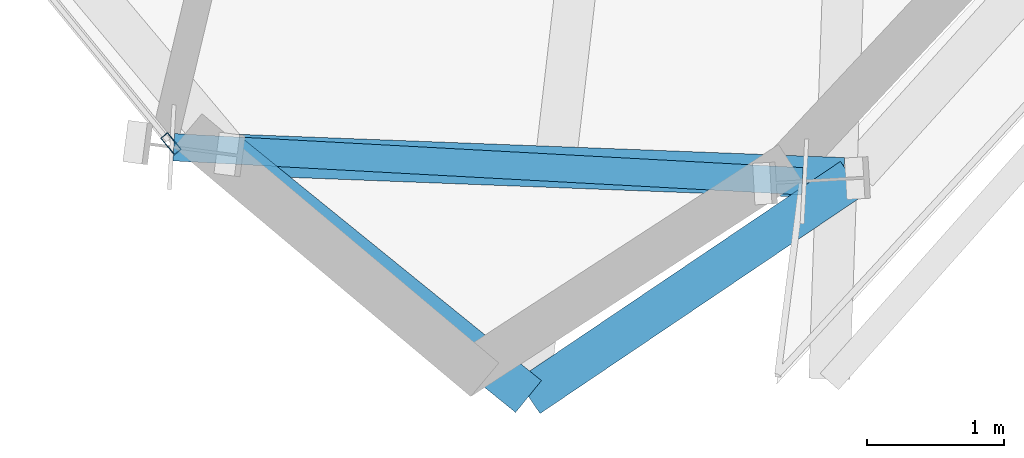
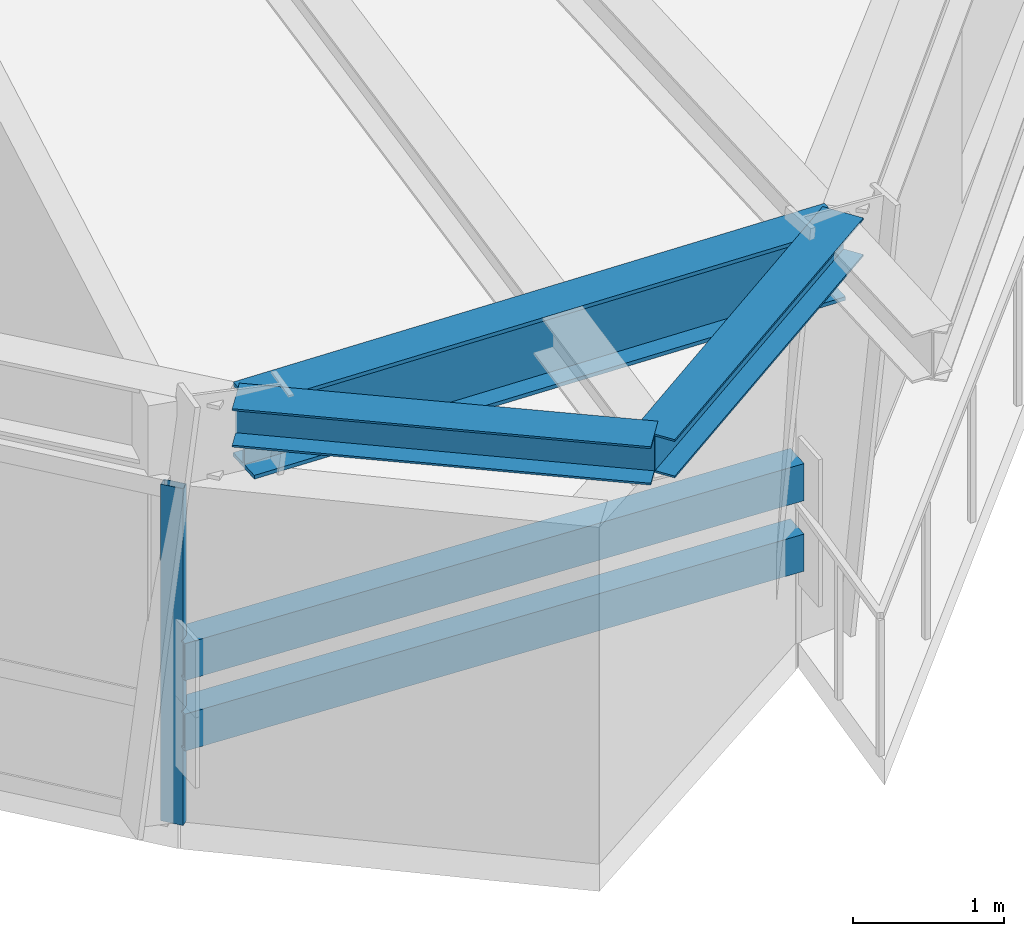
# One storey, part 4 of 15: 3 beams, 3 members, 1 element without a shape of its own.
"""IFC4 building model written with IfcOpenShell, lengths in metres."""

import ifcopenshell
import ifcopenshell.guid

model = None  # the IFC model being written
_history = None  # IfcOwnerHistory: only IFC2X3 demands one
_inside = {}  # id of a spatial element -> (the spatial element, [elements in it])
_under = {}  # id of a project, library or spatial element -> (it, [spatial elements below it])
_declared = {}  # id of a project -> (the project, [libraries it declares])
_typed = {}  # id of a type object -> (the type object, [elements of that type])
_made_of = {}  # id of a material, layer set ... -> (it, [elements and type objects made of it])


def new_model(schema):
    """Start an empty IFC model of exactly this schema.

    Asked for "IFC4X3", IfcOpenShell would pick the latest addendum, in which some entities
    have other attributes; the version numbers below select the first issue.
    IFC2X3 requires an IfcOwnerHistory on every rooted entity: one is made here for all.
    """
    global model, _history
    if schema == "IFC4X3":
        model = ifcopenshell.file(schema_version=(4, 3, 0, 0))
    else:
        model = ifcopenshell.file(schema=schema)
    _inside.clear()
    _under.clear()
    _declared.clear()
    _typed.clear()
    _made_of.clear()
    _history = None
    if model.schema == "IFC2X3":
        org = make("IfcOrganization", Name="unknown")
        user = make(
            "IfcPersonAndOrganization",
            ThePerson=make("IfcPerson", FamilyName="unknown"),
            TheOrganization=org,
        )
        app = make(
            "IfcApplication",
            ApplicationDeveloper=org,
            Version="unknown",
            ApplicationFullName="unknown",
            ApplicationIdentifier="unknown",
        )
        _history = make(
            "IfcOwnerHistory",
            OwningUser=user,
            OwningApplication=app,
            ChangeAction="ADDED",
            CreationDate=0,
        )
    return model


def make(cls, **values):
    """One entity of the class cls with the attributes given. An attribute that is None is left unset."""
    return model.create_entity(
        cls, **{name: value for name, value in values.items() if value is not None}
    )


def rooted(cls, **values):
    """An entity with a GlobalId (a new one), such as an element, a storey or a relation."""
    return make(cls, GlobalId=ifcopenshell.guid.new(), OwnerHistory=_history, **values)


def si_unit(unit_type, name, prefix=None):
    """IfcSIUnit, for example si_unit("LENGTHUNIT", "METRE", prefix="MILLI")."""
    return make("IfcSIUnit", UnitType=unit_type, Prefix=prefix, Name=name)


def assignment(units):
    """IfcUnitAssignment: the units of a project."""
    return None if units is None else make("IfcUnitAssignment", Units=units)


def point(xyz):
    """IfcCartesianPoint."""
    return None if xyz is None else make("IfcCartesianPoint", Coordinates=xyz)


def direction(xyz):
    """IfcDirection."""
    return None if xyz is None else make("IfcDirection", DirectionRatios=xyz)


def frame(location, z_axis=None, x_axis=None):
    """IfcAxis2Placement3D, a coordinate frame: its origin and axes. An axis left out is left unset."""
    return make(
        "IfcAxis2Placement3D",
        Location=point(location),
        Axis=direction(z_axis),
        RefDirection=direction(x_axis),
    )


def frame_2d(location, x_axis=None):
    """IfcAxis2Placement2D, a coordinate frame in the plane: its origin and x axis."""
    return make(
        "IfcAxis2Placement2D", Location=point(location), RefDirection=direction(x_axis)
    )


def origin():
    """The frame at (0, 0, 0) with its axes left unset."""
    return frame((0.0, 0.0, 0.0))


def origin_2d():
    """The frame at (0, 0) in the plane with its x axis left unset."""
    return frame_2d((0.0, 0.0))


def place(relative_to, where):
    """IfcLocalPlacement: puts the frame where relative to a parent placement (None: the world)."""
    return make(
        "IfcLocalPlacement", PlacementRelTo=relative_to, RelativePlacement=where
    )


def context(
    kind, dimensions, precision=None, world=None, true_north=None, identifier=None
):
    """IfcGeometricRepresentationContext, for example the 3D "Model" context."""
    return make(
        "IfcGeometricRepresentationContext",
        ContextIdentifier=identifier,
        ContextType=kind,
        CoordinateSpaceDimension=dimensions,
        Precision=precision,
        WorldCoordinateSystem=world,
        TrueNorth=true_north,
    )


def subcontext(parent, identifier, kind, view, scale=None):
    """IfcGeometricRepresentationSubContext, for example "Body" below "Model"."""
    return make(
        "IfcGeometricRepresentationSubContext",
        ContextIdentifier=identifier,
        ContextType=kind,
        ParentContext=parent,
        TargetScale=scale,
        TargetView=view,
    )


def project(units=None, contexts=None):
    """IfcProject with its units and contexts."""
    return rooted(
        "IfcProject",
        Name="project",
        RepresentationContexts=contexts,
        UnitsInContext=assignment(units),
    )


def spatial(cls, under=None, at=None, **own):
    """A site, building, storey or space (cls), placed at a placement, below another one or the project."""
    s = rooted(cls, ObjectPlacement=at, **own)
    if under is not None:
        _under.setdefault(under.id(), (under, []))[1].append(s)
    return s


def profile(cls, at=None, kind="AREA", **sizes):
    """A parametric profile (cls). Its sizes go by their IFC names, for example OverallWidth=200.0."""
    return make(cls, ProfileType=kind, Position=at, **sizes)


def hollow_rectangle(**sizes):
    """IfcRectangleHollowProfileDef."""
    return profile("IfcRectangleHollowProfileDef", **sizes)


def i_section(**sizes):
    """IfcIShapeProfileDef."""
    return profile("IfcIShapeProfileDef", **sizes)


def extrude(swept, where, along, depth):
    """IfcExtrudedAreaSolid: the profile swept, set in the frame where, extruded along a direction by depth."""
    return make(
        "IfcExtrudedAreaSolid",
        SweptArea=swept,
        Position=where,
        ExtrudedDirection=direction(along),
        Depth=depth,
    )


def shape(context_of_items, identifier, shape_type, items):
    """IfcShapeRepresentation: the items that make up one representation, for example the "Body"."""
    return make(
        "IfcShapeRepresentation",
        ContextOfItems=context_of_items,
        RepresentationIdentifier=identifier,
        RepresentationType=shape_type,
        Items=items,
    )


def source(mapping_origin, context_of_items, identifier, shape_type, items):
    """IfcRepresentationMap: a shape defined once, which mapped items show again and again."""
    return make(
        "IfcRepresentationMap",
        MappingOrigin=mapping_origin,
        MappedRepresentation=shape(context_of_items, identifier, shape_type, items),
    )


def transform(
    local_origin,
    x_axis=None,
    y_axis=None,
    z_axis=None,
    scale=None,
    scale2=None,
    scale3=None,
    uniform=True,
):
    """IfcCartesianTransformationOperator3D, or its non-uniform kind. x_axis, y_axis, z_axis: its Axis1, 2, 3."""
    if uniform:
        return make(
            "IfcCartesianTransformationOperator3D",
            Axis1=direction(x_axis),
            Axis2=direction(y_axis),
            LocalOrigin=point(local_origin),
            Scale=scale,
            Axis3=direction(z_axis),
        )
    return make(
        "IfcCartesianTransformationOperator3DnonUniform",
        Axis1=direction(x_axis),
        Axis2=direction(y_axis),
        LocalOrigin=point(local_origin),
        Scale=scale,
        Axis3=direction(z_axis),
        Scale2=scale2,
        Scale3=scale3,
    )


def mapped(mapping_source, mapping_target):
    """IfcMappedItem: shows the shape of a source again, moved by a transform."""
    return make(
        "IfcMappedItem", MappingSource=mapping_source, MappingTarget=mapping_target
    )


def material(Name=None, Category=None):
    """IfcMaterial."""
    return make("IfcMaterial", Name=Name, Category=Category)


def material_profile(
    of_material, cross_section, Name=None, Category=None, Priority=None
):
    """IfcMaterialProfile: a cross section and its material."""
    return make(
        "IfcMaterialProfile",
        Name=Name,
        Material=of_material,
        Profile=cross_section,
        Priority=Priority,
        Category=Category,
    )


def profile_set(profiles, Name=None, composite=None):
    """IfcMaterialProfileSet."""
    return make(
        "IfcMaterialProfileSet",
        Name=Name,
        MaterialProfiles=profiles,
        CompositeProfile=composite,
    )


def made_of(thing, what):
    """Note that an element or type object is made of a material, layer set ...; save() writes the relation."""
    if what is not None:
        _made_of.setdefault(what.id(), (what, []))[1].append(thing)
    return thing


def type_object(cls, material=None, **own):
    """A type object (cls), such as IfcWallType, which elements share."""
    return made_of(rooted(cls, **own), material)


def element(
    cls,
    number,
    at=None,
    inside=None,
    cuts=None,
    type_object=None,
    material=None,
    context=None,
    identifier="Body",
    shape_type=None,
    held_by="IfcProductDefinitionShape",
    body=None,
    shapes=None,
    **own,
):
    """One element of the class cls, such as IfcWall. Its Tag is "e" and its number.

    at: its placement. inside: the storey or other place that contains it. cuts: it is an
    opening in that element (IfcRelVoidsElement). A single representation is given by context,
    identifier, shape_type and body (its items); several are given by shapes. held_by: the class
    of the entity that holds the representations. save() writes the other relations.
    """
    e = rooted(cls, Tag="e%d" % number, ObjectPlacement=at, **own)
    if body is not None:
        shapes = [shape(context, identifier, shape_type, body)]
    if shapes is not None:
        e.Representation = make(held_by, Representations=shapes)
    if inside is not None:
        _inside.setdefault(inside.id(), (inside, []))[1].append(e)
    if cuts is not None:
        rooted(
            "IfcRelVoidsElement", RelatingBuildingElement=cuts, RelatedOpeningElement=e
        )
    if type_object is not None:
        _typed.setdefault(type_object.id(), (type_object, []))[1].append(e)
    return made_of(e, material)


def aggregate(whole, parts):
    """IfcRelAggregates: a whole, such as a stair, and the parts it consists of."""
    return rooted("IfcRelAggregates", RelatingObject=whole, RelatedObjects=parts)


def save(model, path):
    """Write the relations noted so far, then the file.

    IfcRelAggregates (storeys below a building ...), IfcRelContainedInSpatialStructure (elements
    in a storey), IfcRelDefinesByType, IfcRelAssociatesMaterial and IfcRelDeclares: one each for
    every whole, place, type object, material and project.
    """
    for whole, parts in _under.values():
        aggregate(whole, parts)
    for where, things in _inside.values():
        rooted(
            "IfcRelContainedInSpatialStructure",
            RelatedElements=things,
            RelatingStructure=where,
        )
    for kind, things in _typed.values():
        rooted("IfcRelDefinesByType", RelatedObjects=things, RelatingType=kind)
    for what, things in _made_of.values():
        rooted("IfcRelAssociatesMaterial", RelatedObjects=things, RelatingMaterial=what)
    for by, libraries in _declared.values():
        rooted("IfcRelDeclares", RelatingContext=by, RelatedDefinitions=libraries)
    model.write(path)


model = new_model("IFC4")

# Units and contexts
model_context = context("Model", 3, precision=1e-05, world=origin(), true_north=direction((0.0, 1.0)))
body_context = subcontext(model_context, "Body", "Model", "MODEL_VIEW")
ifc_project = project(units=[si_unit("LENGTHUNIT", "METRE"), si_unit("AREAUNIT", "SQUARE_METRE"), si_unit("VOLUMEUNIT", "CUBIC_METRE"), si_unit("PLANEANGLEUNIT", "RADIAN"), si_unit("MASSUNIT", "GRAM", prefix="KILO")], contexts=[model_context])

# Site, building, storey
site_placement = place(None, origin())
site = spatial("IfcSite", under=ifc_project, at=site_placement, CompositionType="ELEMENT")
building_placement = place(site_placement, origin())
building = spatial("IfcBuilding", under=site, at=building_placement, Name="Olszyna Solenne Hotel", CompositionType="ELEMENT")
storey_placement = place(building_placement, frame((0.0, 0.0, 160.800048828125)))
storey = spatial("IfcBuildingStorey", under=building, at=storey_placement, Name="L42", CompositionType="ELEMENT", Elevation=160.800048828125)

# Beams
ifc_material_1 = material(Name="Steel S355J2", Category="steel")
ifc_material_profile_1 = material_profile(ifc_material_1, i_section(OverallWidth=0.300048828125, OverallDepth=0.60009765625, WebThickness=0.015380859375, FlangeThickness=0.030029296875, at=origin_2d()), Name="HEB 600", Category="load-bearing")
ifc_profile_set_1 = profile_set([ifc_material_profile_1], Name="Steel S355J2")
beam_type_1 = type_object("IfcBeamType", Name="BM-S2", PredefinedType="BEAM", material=ifc_profile_set_1)
shared_shape_1 = source(origin(), body_context, "Body", "SweptSolid", [
    extrude(i_section(OverallWidth=0.300048828125, OverallDepth=0.60009765625, WebThickness=0.015380859375, FlangeThickness=0.030029296875, at=origin_2d()), origin(), (0.0, 0.0, 1.0), 4.4267578125),
])
beam_1_placement = place(storey_placement, frame((32.84814453125, 2.5654296875, 3.030029296875), z_axis=(0.999263047078, -0.03838440757, 0.0), x_axis=(0.03838440757, 0.999263047078, 0.0)))
element("IfcBeam", 1, at=beam_1_placement, inside=storey, type_object=beam_type_1, Name="Perimeter spandrel beam BM-S2 B-L42-1253", PredefinedType="BEAM", context=body_context, shape_type="MappedRepresentation", body=[
    mapped(shared_shape_1, transform((0.0, 0.0, 0.0), x_axis=(1.0, 0.0, 0.0), y_axis=(0.0, 1.0, 0.0), z_axis=(0.0, 0.0, 1.0), scale=1.0)),
])
ifc_material_profile_2 = material_profile(ifc_material_1, i_section(OverallWidth=0.300048828125, OverallDepth=0.31005859375, WebThickness=0.009033203125, FlangeThickness=0.015380859375, at=origin_2d()), Name="HEA 320", Category="load-bearing")
ifc_profile_set_2 = profile_set([ifc_material_profile_2], Name="Steel S355J2")
beam_type_2 = type_object("IfcBeamType", Name="BM-G3", PredefinedType="BEAM", material=ifc_profile_set_2)
shared_shape_2 = source(origin(), body_context, "Body", "SweptSolid", [
    extrude(i_section(OverallWidth=0.300048828125, OverallDepth=0.31005859375, WebThickness=0.009033203125, FlangeThickness=0.015380859375, at=origin_2d()), origin(), (0.0, 0.0, 1.0), 2.807861328125),
])
beam_2_placement = place(storey_placement, frame((32.7880859375, 2.56787109375, 3.175048828125), z_axis=(0.776943093124, -0.629570830048, 0.0), x_axis=(0.629570830048, 0.776943093124, 0.0)))
element("IfcBeam", 2, at=beam_2_placement, inside=storey, type_object=beam_type_2, Name="Prism side edge beam BM-G3 B-L42-1266", PredefinedType="BEAM", context=body_context, shape_type="MappedRepresentation", body=[
    mapped(shared_shape_2, transform((0.0, 0.0, 0.0), x_axis=(1.0, 0.0, 0.0), y_axis=(0.0, 1.0, 0.0), z_axis=(0.0, 0.0, 1.0), scale=1.0)),
])
shared_shape_3 = source(origin(), body_context, "Body", "SweptSolid", [
    extrude(i_section(OverallWidth=0.300048828125, OverallDepth=0.31005859375, WebThickness=0.009033203125, FlangeThickness=0.015380859375, at=origin_2d()), origin(), (0.0, 0.0, 1.0), 2.84912109375),
])
beam_3_placement = place(storey_placement, frame((37.331787109375, 2.393310546875, 3.175048828125), z_axis=(-0.829032404404, -0.559200565493, 0.0), x_axis=(0.559200565493, -0.829032404404, 0.0)))
element("IfcBeam", 3, at=beam_3_placement, inside=storey, type_object=beam_type_2, Name="Prism side edge beam BM-G3 B-L42-1267", PredefinedType="BEAM", context=body_context, shape_type="MappedRepresentation", body=[
    mapped(shared_shape_3, transform((0.0, 0.0, 0.0), x_axis=(1.0, 0.0, 0.0), y_axis=(0.0, 1.0, 0.0), z_axis=(0.0, 0.0, 1.0), scale=1.0)),
])

# Members
ifc_material_profile_3 = material_profile(ifc_material_1, hollow_rectangle(XDim=0.199951171875, YDim=0.300048828125, WallThickness=0.01611328125, at=origin_2d()), Name="RHS 300x200x16", Category="load-bearing")
ifc_profile_set_3 = profile_set([ifc_material_profile_3], Name="Steel S355J2")
member_type_1 = type_object("IfcMemberType", Name="CH-PR1", PredefinedType="CHORD", material=ifc_profile_set_3)
shared_shape_4 = source(origin(), body_context, "Body", "SweptSolid", [
    extrude(hollow_rectangle(XDim=0.199951171875, YDim=0.300048828125, WallThickness=0.01611328125, at=origin_2d()), origin(), (0.0, 0.0, 1.0), 4.59814453125),
])
for number, where, z_axis, x_axis, name in (
    (4, (32.378662109375, 2.62109375, 1.349853515625), (0.998535226487, -0.054105466117, 0.0), (0.054105466117, 0.998535226487, 0.0), "Glass-prism tie chord CH-PR1 M-L42-PR1"),
    (5, (32.378662109375, 2.62109375, 0.780029296875), (0.998535226487, -0.054105466117, 0.0), (0.054105466117, 0.998535226487, 0.0), "Glass-prism tie chord CH-PR1 M-L42-PR2"),
):
    element("IfcMember", number, at=place(storey_placement, frame(where, z_axis=z_axis, x_axis=x_axis)), inside=storey, type_object=member_type_1, Name=name, PredefinedType="CHORD", context=body_context, shape_type="MappedRepresentation", body=[
        mapped(shared_shape_4, transform((0.0, 0.0, 0.0), x_axis=(1.0, 0.0, 0.0), y_axis=(0.0, 1.0, 0.0), z_axis=(0.0, 0.0, 1.0), scale=1.0)),
    ])

# Curtain wall, member
ifc_material_2 = material(Name="Anodised bronze aluminium", Category="aluminium")
curtain_wall_type = type_object("IfcCurtainWallType", Name="CW-SYS-4", PredefinedType="NOTDEFINED", material=ifc_material_2)
curtain_wall_placement = place(storey_placement, origin())
curtain_wall = element("IfcCurtainWall", 6, at=curtain_wall_placement, inside=storey, type_object=curtain_wall_type, Name="Unitised curtain wall CW-SYS-4 CW-L42-01", PredefinedType="NOTDEFINED")
ifc_material_profile_4 = material_profile(ifc_material_2, hollow_rectangle(XDim=0.06494140625, YDim=0.159912109375, WallThickness=0.00390625, at=origin_2d()), Name="MULL 160x65x4", Category="load-bearing")
ifc_profile_set_4 = profile_set([ifc_material_profile_4], Name="Anodised bronze aluminium")
member_type_2 = type_object("IfcMemberType", Name="CW-M3", PredefinedType="MULLION", material=ifc_profile_set_4)
shared_shape_5 = source(origin(), body_context, "Body", "SweptSolid", [
    extrude(hollow_rectangle(XDim=0.06494140625, YDim=0.159912109375, WallThickness=0.00390625, at=origin_2d()), origin(), (0.0, 0.0, 1.0), 2.721923828125),
])
member_placement = place(storey_placement, frame((32.358154296875, 2.646240234375, 0.0), z_axis=(0.0, 0.0, 1.0), x_axis=(0.774267616742, 0.632858323533, 0.0)))
member = element("IfcMember", 7, at=member_placement, type_object=member_type_2, Name="Curtain-wall mullion CW-M3 CM-L42-01-04", PredefinedType="MULLION", context=body_context, shape_type="MappedRepresentation", body=[
    mapped(shared_shape_5, transform((0.0, 0.0, 0.0), x_axis=(1.0, 0.0, 0.0), y_axis=(0.0, 1.0, 0.0), z_axis=(0.0, 0.0, 1.0), scale=1.0)),
])
aggregate(curtain_wall, [member])

save(model, "model.ifc")
